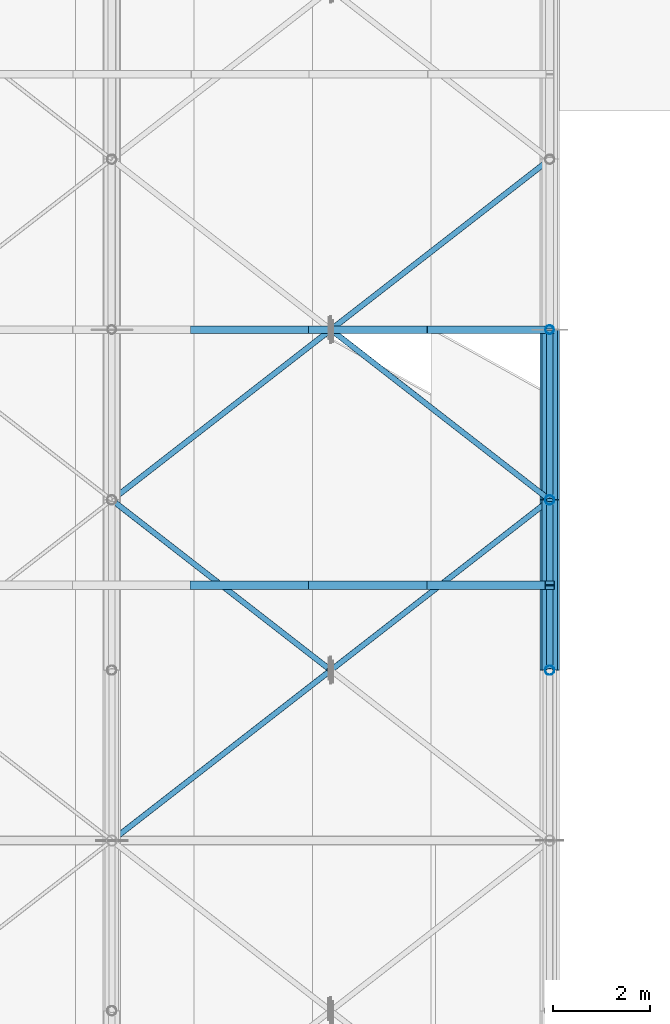
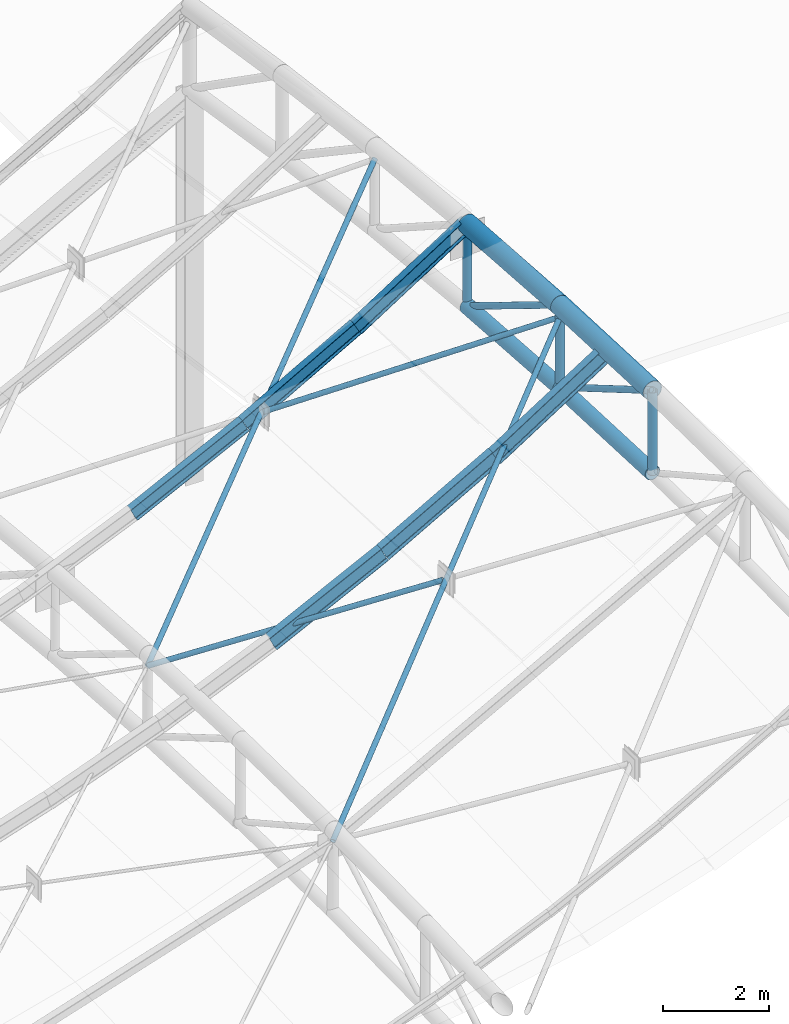
# One storey, part 37 of 262: 19 members.
"""IFC4 building model written with IfcOpenShell, lengths in metres."""

from ifc_helpers import new_model, si_unit, derived_unit, direction, frame, origin, origin_2d, place, context, subcontext, project, spatial, hollow_circle, i_section, extrude, material, material_profile, profile_set, type_object, element, save


model = new_model("IFC4")

# Units and contexts
model_context = context("Model", 3, precision=1e-05, world=origin(), true_north=direction((0.0, 1.0)))
body_context = subcontext(model_context, "Body", "Model", "MODEL_VIEW")
ifc_project = project(units=[si_unit("LENGTHUNIT", "METRE"), si_unit("AREAUNIT", "SQUARE_METRE"), si_unit("VOLUMEUNIT", "CUBIC_METRE"), si_unit("PLANEANGLEUNIT", "RADIAN"), si_unit("MASSUNIT", "GRAM", prefix="KILO"), derived_unit("THERMALTRANSMITTANCEUNIT", [(si_unit("POWERUNIT", "WATT"), 1), (si_unit("LENGTHUNIT", "METRE"), -2), (si_unit("THERMODYNAMICTEMPERATUREUNIT", "KELVIN"), -1)])], contexts=[model_context])

# Site, building, storey
site_placement = place(None, origin())
site = spatial("IfcSite", under=ifc_project, at=site_placement, CompositionType="ELEMENT")
building_placement = place(site_placement, origin())
building = spatial("IfcBuilding", under=site, at=building_placement, Name="Almenara Railside Exhibition Hall", CompositionType="ELEMENT")
storey_placement = place(building_placement, frame((0.0, 0.0, 21.699951171875)))
storey = spatial("IfcBuildingStorey", under=building, at=storey_placement, Name="RF", CompositionType="ELEMENT", Elevation=21.699951171875)

# Members
ifc_material = material(Name="Structural steel S355JR", Category="steel")
ifc_material_profile_1 = material_profile(ifc_material, i_section(OverallWidth=0.159912109375, OverallDepth=0.330078125, WebThickness=0.007568359375, FlangeThickness=0.011474609375, FilletRadius=0.01806640625, at=origin_2d()), Name="IPE 330")
ifc_profile_set_1 = profile_set([ifc_material_profile_1], Name="Structural steel S355JR")
member_type_1 = type_object("IfcMemberType", Name="Gable Bay Purlin IPE 330 S355JR", PredefinedType="PURLIN", material=ifc_profile_set_1)
member_1_placement = place(storey_placement, frame((58.68994140625, 31.5, -1.869873046875), z_axis=(0.895376074457, 0.0, 0.445310773831), x_axis=(0.0, 1.0, 0.0)))
element("IfcMember", 1, at=member_1_placement, inside=storey, type_object=member_type_1, Name="MEM-PR-V4-PR-IPE330-06-25", PredefinedType="PURLIN", context=body_context, shape_type="SweptSolid", body=[
    extrude(i_section(OverallWidth=0.159912109375, OverallDepth=0.330078125, WebThickness=0.007568359375, FlangeThickness=0.011474609375, FilletRadius=0.01806640625, at=origin_2d()), origin(), (0.0, 0.0, 1.0), 2.721435546875),
])
member_2_placement = place(storey_placement, frame((61.126708984375, 31.5, -0.65234375), z_axis=(0.870445855666, 0.0, 0.492264169277), x_axis=(0.0, 1.0, 0.0)))
element("IfcMember", 2, at=member_2_placement, inside=storey, type_object=member_type_1, Name="MEM-PR-V4-PR-IPE330-06-26", PredefinedType="PURLIN", context=body_context, shape_type="SweptSolid", body=[
    extrude(i_section(OverallWidth=0.159912109375, OverallDepth=0.330078125, WebThickness=0.007568359375, FlangeThickness=0.011474609375, FilletRadius=0.01806640625, at=origin_2d()), origin(), (0.0, 0.0, 1.0), 2.799072265625),
])
member_3_placement = place(storey_placement, frame((63.563232421875, 31.5, 0.712158203125), z_axis=(0.842265270347, 0.0, 0.53906327492), x_axis=(0.0, 1.0, 0.0)))
element("IfcMember", 3, at=member_3_placement, inside=storey, type_object=member_type_1, Name="MEM-PR-V4-PR-IPE330-06-27", PredefinedType="PURLIN", context=body_context, shape_type="SweptSolid", body=[
    extrude(i_section(OverallWidth=0.159912109375, OverallDepth=0.330078125, WebThickness=0.007568359375, FlangeThickness=0.011474609375, FilletRadius=0.01806640625, at=origin_2d()), origin(), (0.0, 0.0, 1.0), 2.89306640625),
])
ifc_material_profile_2 = material_profile(ifc_material, i_section(OverallWidth=0.169921875, OverallDepth=0.360107421875, WebThickness=0.008056640625, FlangeThickness=0.0126953125, FilletRadius=0.01806640625, at=origin_2d()), Name="IPE 360")
ifc_profile_set_2 = profile_set([ifc_material_profile_2], Name="Structural steel S355JR")
member_type_2 = type_object("IfcMemberType", Name="Long-Span Scroll Purlin IPE 360 S355JR", PredefinedType="PURLIN", material=ifc_profile_set_2)
member_4_placement = place(storey_placement, frame((58.68994140625, 26.25, -1.658935546875), z_axis=(0.895376074457, 0.0, 0.445310773831), x_axis=(0.0, 1.0, 0.0)))
element("IfcMember", 4, at=member_4_placement, inside=storey, type_object=member_type_2, Name="MEM-PR-V4-PR-IPE360-05-25", PredefinedType="PURLIN", context=body_context, shape_type="SweptSolid", body=[
    extrude(i_section(OverallWidth=0.169921875, OverallDepth=0.360107421875, WebThickness=0.008056640625, FlangeThickness=0.0126953125, FilletRadius=0.01806640625, at=origin_2d()), origin(), (0.0, 0.0, 1.0), 2.721435546875),
])
member_5_placement = place(storey_placement, frame((61.126708984375, 26.25, -0.441650390625), z_axis=(0.870483227181, 0.0, 0.492198081261), x_axis=(0.0, 1.0, 0.0)))
element("IfcMember", 5, at=member_5_placement, inside=storey, type_object=member_type_2, Name="MEM-PR-V4-PR-IPE360-05-26", PredefinedType="PURLIN", context=body_context, shape_type="SweptSolid", body=[
    extrude(i_section(OverallWidth=0.169921875, OverallDepth=0.360107421875, WebThickness=0.008056640625, FlangeThickness=0.0126953125, FilletRadius=0.01806640625, at=origin_2d()), origin(), (0.0, 0.0, 1.0), 2.799072265625),
])
member_6_placement = place(storey_placement, frame((63.563232421875, 26.25, 0.922119140625), z_axis=(0.842226955435, 0.0, 0.539123135785), x_axis=(0.0, 1.0, 0.0)))
element("IfcMember", 6, at=member_6_placement, inside=storey, type_object=member_type_2, Name="MEM-PR-V4-PR-IPE360-05-27", PredefinedType="PURLIN", context=body_context, shape_type="SweptSolid", body=[
    extrude(i_section(OverallWidth=0.169921875, OverallDepth=0.360107421875, WebThickness=0.008056640625, FlangeThickness=0.0126953125, FilletRadius=0.01806640625, at=origin_2d()), origin(), (0.0, 0.0, 1.0), 2.893310546875),
])
ifc_material_profile_3 = material_profile(ifc_material, hollow_circle(Radius=0.203125, WallThickness=0.012451171875, at=origin_2d()), Name="CHS 406.4x12.5")
ifc_profile_set_3 = profile_set([ifc_material_profile_3], Name="Structural steel S355JR")
member_type_3 = type_object("IfcMemberType", Name="Plenary Gable Top Chord CHS 406.4x12.5 S355JR", PredefinedType="CHORD", material=ifc_profile_set_3)
member_7_placement = place(storey_placement, frame((66.0, 24.5, 2.650146484375), z_axis=(0.0, 0.999081106193, -0.042859575914), x_axis=(-1.0, 0.0, 0.0)))
element("IfcMember", 7, at=member_7_placement, inside=storey, type_object=member_type_3, Name="MEM-TC-V4-07-07", PredefinedType="CHORD", context=body_context, shape_type="SweptSolid", body=[
    extrude(hollow_circle(Radius=0.203125, WallThickness=0.012451171875, at=origin_2d()), origin(), (0.0, 0.0, 1.0), 3.503173828125),
])
member_8_placement = place(storey_placement, frame((66.0, 28.0, 2.5), z_axis=(0.0, 0.997458699831, -0.071247049988), x_axis=(-1.0, 0.0, 0.0)))
element("IfcMember", 8, at=member_8_placement, inside=storey, type_object=member_type_3, Name="MEM-TC-V4-07-08", PredefinedType="CHORD", context=body_context, shape_type="SweptSolid", body=[
    extrude(hollow_circle(Radius=0.203125, WallThickness=0.012451171875, at=origin_2d()), origin(), (0.0, 0.0, 1.0), 3.509033203125),
])
ifc_material_profile_4 = material_profile(ifc_material, hollow_circle(Radius=0.161865234375, WallThickness=0.010009765625, at=origin_2d()), Name="CHS 323.9x10")
ifc_profile_set_4 = profile_set([ifc_material_profile_4], Name="Structural steel S355JR")
member_type_4 = type_object("IfcMemberType", Name="Plenary Truss Bottom Chord CHS 323.9x10 S355JR", PredefinedType="CHORD", material=ifc_profile_set_4)
member_9_placement = place(storey_placement, frame((66.0, 24.5, 0.75), z_axis=(0.0, 0.999084087935, -0.042790013253), x_axis=(-1.0, 0.0, 0.0)))
element("IfcMember", 9, at=member_9_placement, inside=storey, type_object=member_type_4, Name="MEM-BC-V4-07-07", PredefinedType="CHORD", context=body_context, shape_type="SweptSolid", body=[
    extrude(hollow_circle(Radius=0.161865234375, WallThickness=0.010009765625, at=origin_2d()), origin(), (0.0, 0.0, 1.0), 3.503173828125),
])
member_10_placement = place(storey_placement, frame((66.0, 28.0, 0.60009765625), z_axis=(0.0, 0.997458699831, -0.071247049988), x_axis=(-1.0, 0.0, 0.0)))
element("IfcMember", 10, at=member_10_placement, inside=storey, type_object=member_type_4, Name="MEM-BC-V4-07-08", PredefinedType="CHORD", context=body_context, shape_type="SweptSolid", body=[
    extrude(hollow_circle(Radius=0.161865234375, WallThickness=0.010009765625, at=origin_2d()), origin(), (0.0, 0.0, 1.0), 3.509033203125),
])
ifc_material_profile_5 = material_profile(ifc_material, hollow_circle(Radius=0.05712890625, WallThickness=0.00439453125, at=origin_2d()), Name="CHS 114.3x4.5")
ifc_profile_set_5 = profile_set([ifc_material_profile_5], Name="Structural steel S355JR")
member_type_5 = type_object("IfcMemberType", Name="Roof Wind Plan X-Brace CHS 114.3x4.5 S355JR", PredefinedType="BRACE", material=ifc_profile_set_5)
member_11_placement = place(storey_placement, frame((57.0, 21.0, -2.47900390625), z_axis=(0.729803497076, 0.56762494217, 0.381036455844), x_axis=(-0.613940613515, 0.789352217376, 0.0)))
element("IfcMember", 11, at=member_11_placement, inside=storey, type_object=member_type_5, Name="MEM-WB-V4-WB-CHS114-06-06-C", PredefinedType="BRACE", context=body_context, shape_type="SweptSolid", body=[
    extrude(hollow_circle(Radius=0.05712890625, WallThickness=0.00439453125, at=origin_2d()), origin(), (0.0, 0.0, 1.0), 12.33203125),
])
member_12_placement = place(storey_placement, frame((57.0, 28.0, -2.678955078125), z_axis=(0.720567136423, -0.560471813526, 0.408233203146), x_axis=(0.613961572387, 0.789335915585, 0.0)))
element("IfcMember", 12, at=member_12_placement, inside=storey, type_object=member_type_5, Name="MEM-WB-V4-WB-CHS114-06-06-S1", PredefinedType="BRACE", context=body_context, shape_type="SweptSolid", body=[
    extrude(hollow_circle(Radius=0.05712890625, WallThickness=0.00439453125, at=origin_2d()), origin(), (0.0, 0.0, 1.0), 6.183837890625),
])
member_13_placement = place(storey_placement, frame((57.0, 28.0, -2.678955078125), z_axis=(0.738593654912, 0.574461731598, 0.352807499711), x_axis=(-0.613940613515, 0.789352217376, 0.0)))
element("IfcMember", 13, at=member_13_placement, inside=storey, type_object=member_type_5, Name="MEM-WB-V4-WB-CHS114-06-08-C", PredefinedType="BRACE", context=body_context, shape_type="SweptSolid", body=[
    extrude(hollow_circle(Radius=0.05712890625, WallThickness=0.00439453125, at=origin_2d()), origin(), (0.0, 0.0, 1.0), 12.185302734375),
])
member_14_placement = place(storey_placement, frame((61.54345703125, 31.46630859375, -0.5029296875), z_axis=(0.710977182771, -0.552999563985, 0.434399502544), x_axis=(0.613952588204, 0.789342903583, 0.0)))
element("IfcMember", 14, at=member_14_placement, inside=storey, type_object=member_type_5, Name="MEM-WB-V4-WB-CHS114-06-08-S2", PredefinedType="BRACE", context=body_context, shape_type="SweptSolid", body=[
    extrude(hollow_circle(Radius=0.05712890625, WallThickness=0.00439453125, at=origin_2d()), origin(), (0.0, 0.0, 1.0), 6.268310546875),
])
ifc_material_profile_6 = material_profile(ifc_material, hollow_circle(Radius=0.06982421875, WallThickness=0.0048828125, at=origin_2d()), Name="CHS 139.7x5")
ifc_profile_set_6 = profile_set([ifc_material_profile_6], Name="Structural steel S355JR")
member_type_6 = type_object("IfcMemberType", Name="Truss Inner Diagonal CHS 139.7x5 S355JR", PredefinedType="BRACE", material=ifc_profile_set_6)
member_15_placement = place(storey_placement, frame((66.0, 24.5, 2.650146484375), z_axis=(0.0, 0.862878111278, -0.505412074526), x_axis=(-1.0, 0.0, 0.0)))
element("IfcMember", 15, at=member_15_placement, inside=storey, type_object=member_type_6, Name="MEM-TD-V4-07-07", PredefinedType="BRACE", context=body_context, shape_type="SweptSolid", body=[
    extrude(hollow_circle(Radius=0.06982421875, WallThickness=0.0048828125, at=origin_2d()), origin(), (0.0, 0.0, 1.0), 4.05615234375),
])
member_16_placement = place(storey_placement, frame((66.0, 28.0, 2.5), z_axis=(0.0, 0.852086589476, -0.523400844512), x_axis=(-1.0, 0.0, 0.0)))
element("IfcMember", 16, at=member_16_placement, inside=storey, type_object=member_type_6, Name="MEM-TD-V4-07-08", PredefinedType="BRACE", context=body_context, shape_type="SweptSolid", body=[
    extrude(hollow_circle(Radius=0.06982421875, WallThickness=0.0048828125, at=origin_2d()), origin(), (0.0, 0.0, 1.0), 4.107666015625),
])
ifc_material_profile_7 = material_profile(ifc_material, hollow_circle(Radius=0.0888671875, WallThickness=0.006103515625, at=origin_2d()), Name="CHS 177.8x6")
ifc_profile_set_7 = profile_set([ifc_material_profile_7], Name="Structural steel S355JR")
member_type_7 = type_object("IfcMemberType", Name="Truss Quarter Vertical Strut CHS 177.8x6 S355JR", PredefinedType="BRACE", material=ifc_profile_set_7)
member_17_placement = place(storey_placement, frame((66.0, 31.5, 0.35009765625), z_axis=(0.0, 0.0, 1.0), x_axis=(1.0, 0.0, 0.0)))
element("IfcMember", 17, at=member_17_placement, inside=storey, type_object=member_type_7, Name="MEM-TV-V4-07-09", PredefinedType="BRACE", context=body_context, shape_type="SweptSolid", body=[
    extrude(hollow_circle(Radius=0.0888671875, WallThickness=0.006103515625, at=origin_2d()), origin(), (0.0, 0.0, 1.0), 1.89990234375),
])
ifc_material_profile_8 = material_profile(ifc_material, hollow_circle(Radius=0.096923828125, WallThickness=0.00634765625, at=origin_2d()), Name="CHS 193.7x6.3")
ifc_profile_set_8 = profile_set([ifc_material_profile_8], Name="Structural steel S355JR")
member_type_8 = type_object("IfcMemberType", Name="Truss Standard Vertical Strut CHS 193.7x6.3 S355JR", PredefinedType="BRACE", material=ifc_profile_set_8)
member_18_placement = place(storey_placement, frame((66.0, 24.5, 0.75), z_axis=(0.0, 0.0, 1.0), x_axis=(1.0, 0.0, 0.0)))
element("IfcMember", 18, at=member_18_placement, inside=storey, type_object=member_type_8, Name="MEM-TV-V4-07-07", PredefinedType="BRACE", context=body_context, shape_type="SweptSolid", body=[
    extrude(hollow_circle(Radius=0.096923828125, WallThickness=0.00634765625, at=origin_2d()), origin(), (0.0, 0.0, 1.0), 1.900146484375),
])
member_19_placement = place(storey_placement, frame((66.0, 28.0, 0.60009765625), z_axis=(0.0, 0.0, 1.0), x_axis=(1.0, 0.0, 0.0)))
element("IfcMember", 19, at=member_19_placement, inside=storey, type_object=member_type_8, Name="MEM-TV-V4-07-08", PredefinedType="BRACE", context=body_context, shape_type="SweptSolid", body=[
    extrude(hollow_circle(Radius=0.096923828125, WallThickness=0.00634765625, at=origin_2d()), origin(), (0.0, 0.0, 1.0), 1.89990234375),
])

save(model, "model.ifc")
